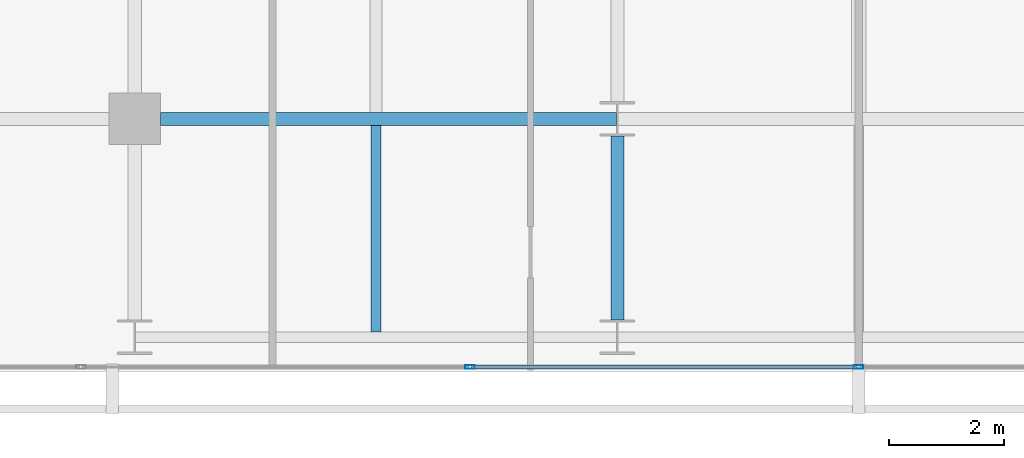
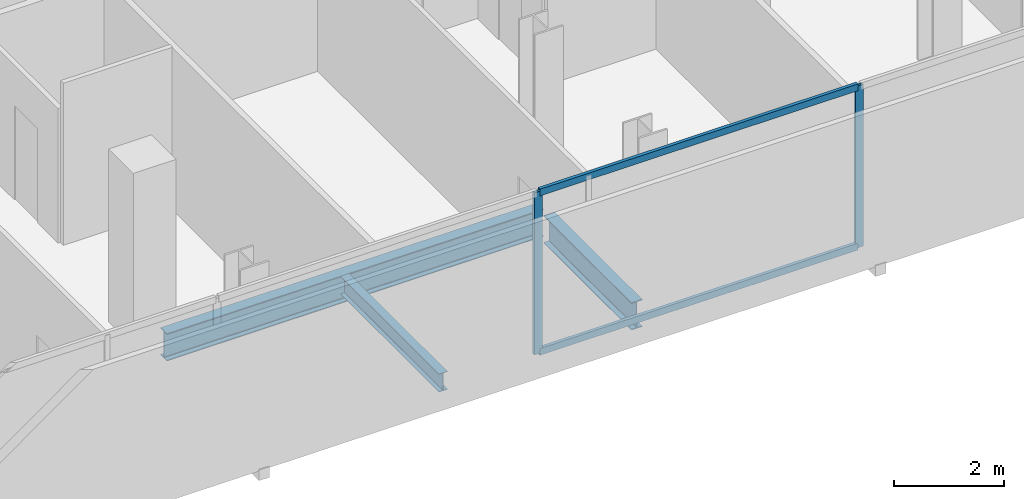
# One storey, part 6 of 34: 4 members, 3 beams, 1 element without a shape of its own.
"""IFC4 building model written with IfcOpenShell, lengths in metres."""

from ifc_helpers import new_model, si_unit, direction, frame, origin, origin_2d, place, context, subcontext, project, spatial, hollow_rectangle, i_section, extrude, material, layer, layer_set, material_profile, profile_set, type_object, element, aggregate, save


model = new_model("IFC4")

# Units and contexts
model_context = context("Model", 3, precision=1e-05, world=origin(), true_north=direction((0.0, 1.0)))
body_context = subcontext(model_context, "Body", "Model", "MODEL_VIEW")
ifc_project = project(units=[si_unit("LENGTHUNIT", "METRE"), si_unit("AREAUNIT", "SQUARE_METRE"), si_unit("VOLUMEUNIT", "CUBIC_METRE"), si_unit("PLANEANGLEUNIT", "RADIAN"), si_unit("MASSUNIT", "GRAM", prefix="KILO")], contexts=[model_context])

# Site, building, storey
site_placement = place(None, origin())
site = spatial("IfcSite", under=ifc_project, at=site_placement, CompositionType="ELEMENT")
building_placement = place(site_placement, origin())
building = spatial("IfcBuilding", under=site, at=building_placement, Name="Maruvema Waterfront Hotel and Observation Tower", CompositionType="ELEMENT")
storey_placement = place(building_placement, frame((0.0, 0.0, 146.64990234375)))
storey = spatial("IfcBuildingStorey", under=building, at=storey_placement, Name="L35", CompositionType="ELEMENT", Elevation=146.64990234375)

# Curtain wall, members
ifc_material_1 = material(Name="Anodised bronze aluminium and solar-control low-E IGU", Category="aluminium")
ifc_layer = layer(ifc_material_1, 0.159912109375, Name="Zone 2 Amber Inner Thermal Curtain Wall System CW-03")
ifc_layer_set = layer_set([ifc_layer], Name="Anodised bronze aluminium and solar-control low-E IGU")
curtain_wall_type = type_object("IfcCurtainWallType", Name="Zone 2 Amber Inner Thermal Curtain Wall System CW-03", PredefinedType="USERDEFINED", material=ifc_layer_set)
curtain_wall_placement = place(storey_placement, origin())
curtain_wall = element("IfcCurtainWall", 1, at=curtain_wall_placement, inside=storey, type_object=curtain_wall_type, Name="L35 Curtain Wall CW-L35-S", ObjectType="UNITISED CURTAIN WALL", PredefinedType="USERDEFINED")
ifc_material_2 = material(Name="Anodised architectural bronze aluminium", Category="aluminium")
ifc_material_profile_1 = material_profile(ifc_material_2, hollow_rectangle(XDim=0.070068359375, YDim=0.14990234375, WallThickness=0.00390625, at=origin_2d()), Name="ALU-T70x150")
ifc_profile_set_1 = profile_set([ifc_material_profile_1], Name="Anodised architectural bronze aluminium")
member_type_1 = type_object("IfcMemberType", Name="Curtain Wall Horizontal Transom ALU-T70x150", PredefinedType="USERDEFINED", material=ifc_profile_set_1)
member_1_placement = place(storey_placement, frame((31.063232421875, 4.679931640625, 0.030029296875), z_axis=(1.0, 0.0, 0.0), x_axis=(0.0, 1.0, 0.0)))
member_1 = element("IfcMember", 2, at=member_1_placement, type_object=member_type_1, Name="CW-03 transom 3.1", ObjectType="TRANSOM", PredefinedType="USERDEFINED", context=body_context, shape_type="SweptSolid", body=[
    extrude(hollow_rectangle(XDim=0.070068359375, YDim=0.14990234375, WallThickness=0.00390625, at=origin_2d()), origin(), (0.0, 0.0, 1.0), 6.706787109375),
])
member_2_placement = place(storey_placement, frame((31.063232421875, 4.679931640625, 3.580078125), z_axis=(1.0, 0.0, 0.0), x_axis=(0.0, 1.0, 0.0)))
member_2 = element("IfcMember", 3, at=member_2_placement, type_object=member_type_1, Name="CW-03 transom 3.2", ObjectType="TRANSOM", PredefinedType="USERDEFINED", context=body_context, shape_type="SweptSolid", body=[
    extrude(hollow_rectangle(XDim=0.070068359375, YDim=0.14990234375, WallThickness=0.00390625, at=origin_2d()), origin(), (0.0, 0.0, 1.0), 6.706787109375),
])
ifc_material_3 = material(Name="Anodised architectural bronze aluminium", Category="aluminium")
ifc_material_profile_2 = material_profile(ifc_material_3, hollow_rectangle(XDim=0.06494140625, YDim=0.1650390625, WallThickness=0.00390625, at=origin_2d()), Name="ALU-M65x165")
ifc_profile_set_2 = profile_set([ifc_material_profile_2], Name="Anodised architectural bronze aluminium")
member_type_2 = type_object("IfcMemberType", Name="Curtain Wall Primary Mullion ALU-M65x165", PredefinedType="MULLION", material=ifc_profile_set_2)
member_3_placement = place(storey_placement, frame((31.033447265625, 4.679931640625, 0.0), z_axis=(0.0, 0.0, 1.0), x_axis=(0.0, 1.0, 0.0)))
member_3 = element("IfcMember", 4, at=member_3_placement, type_object=member_type_2, Name="CW-03 mullion 3", PredefinedType="MULLION", context=body_context, shape_type="SweptSolid", body=[
    extrude(hollow_rectangle(XDim=0.06494140625, YDim=0.1650390625, WallThickness=0.00390625, at=origin_2d()), origin(), (0.0, 0.0, 1.0), 3.610107421875),
])
member_4_placement = place(storey_placement, frame((37.800048828125, 4.679931640625, 0.0), z_axis=(0.0, 0.0, 1.0), x_axis=(0.0, 1.0, 0.0)))
member_4 = element("IfcMember", 5, at=member_4_placement, type_object=member_type_2, Name="CW-03 mullion 4", PredefinedType="MULLION", context=body_context, shape_type="SweptSolid", body=[
    extrude(hollow_rectangle(XDim=0.06494140625, YDim=0.1650390625, WallThickness=0.00390625, at=origin_2d()), origin(), (0.0, 0.0, 1.0), 3.610107421875),
])
aggregate(curtain_wall, [member_3, member_4, member_1, member_2])

# Beams
ifc_material_4 = material(Name="Steel ASTM A572 Grade 50", Category="steel")
ifc_material_profile_3 = material_profile(ifc_material_4, i_section(OverallWidth=0.22900390625, OverallDepth=0.612060546875, WebThickness=0.011962890625, FlangeThickness=0.01953125, FilletRadius=0.01806640625, at=origin_2d()), Name="W610x125.0")
ifc_profile_set_3 = profile_set([ifc_material_profile_3], Name="Steel ASTM A572 Grade 50")
beam_type_1 = type_object("IfcBeamType", Name="Primary Floor Girder W610x125.0", PredefinedType="BEAM", material=ifc_profile_set_3)
beam_1_placement = place(storey_placement, frame((25.64990234375, 9.0, -0.5458984375), z_axis=(1.0, 0.0, 0.0), x_axis=(0.0, 1.0, 0.0)))
element("IfcBeam", 6, at=beam_1_placement, inside=storey, type_object=beam_type_1, Name="L35 Floor Girder EW-06", PredefinedType="BEAM", context=body_context, shape_type="SweptSolid", body=[
    extrude(i_section(OverallWidth=0.22900390625, OverallDepth=0.612060546875, WebThickness=0.011962890625, FlangeThickness=0.01953125, FilletRadius=0.01806640625, at=origin_2d()), origin(), (0.0, 0.0, 1.0), 7.9375),
])
beam_2_placement = place(storey_placement, frame((33.60009765625, 5.5, -0.5458984375), z_axis=(0.0, 1.0, 0.0), x_axis=(-1.0, 0.0, 0.0)))
element("IfcBeam", 7, at=beam_2_placement, inside=storey, type_object=beam_type_1, Name="L35 Floor Girder NS-14", PredefinedType="BEAM", context=body_context, shape_type="SweptSolid", body=[
    extrude(i_section(OverallWidth=0.22900390625, OverallDepth=0.612060546875, WebThickness=0.011962890625, FlangeThickness=0.01953125, FilletRadius=0.01806640625, at=origin_2d()), origin(), (0.0, 0.0, 1.0), 3.199951171875),
])
ifc_material_5 = material(Name="Steel ASTM A572 Grade 50", Category="steel")
ifc_material_profile_4 = material_profile(ifc_material_5, i_section(OverallWidth=0.177001953125, OverallDepth=0.403076171875, WebThickness=0.007568359375, FlangeThickness=0.010986328125, FilletRadius=0.014892578125, at=origin_2d()), Name="W410x53.0")
ifc_profile_set_4 = profile_set([ifc_material_profile_4], Name="Steel ASTM A572 Grade 50")
beam_type_2 = type_object("IfcBeamType", Name="Secondary Floor Joist W410x53.0", PredefinedType="JOIST", material=ifc_profile_set_4)
beam_3_placement = place(storey_placement, frame((29.39990234375, 5.29052734375, -0.44140625), z_axis=(0.0, 1.0, 0.0), x_axis=(-1.0, 0.0, 0.0)))
element("IfcBeam", 8, at=beam_3_placement, inside=storey, type_object=beam_type_2, Name="L35 Secondary Floor Joist JS-05", PredefinedType="JOIST", context=body_context, shape_type="SweptSolid", body=[
    extrude(i_section(OverallWidth=0.177001953125, OverallDepth=0.403076171875, WebThickness=0.007568359375, FlangeThickness=0.010986328125, FilletRadius=0.014892578125, at=origin_2d()), origin(), (0.0, 0.0, 1.0), 3.594970703125),
])

save(model, "model.ifc")
